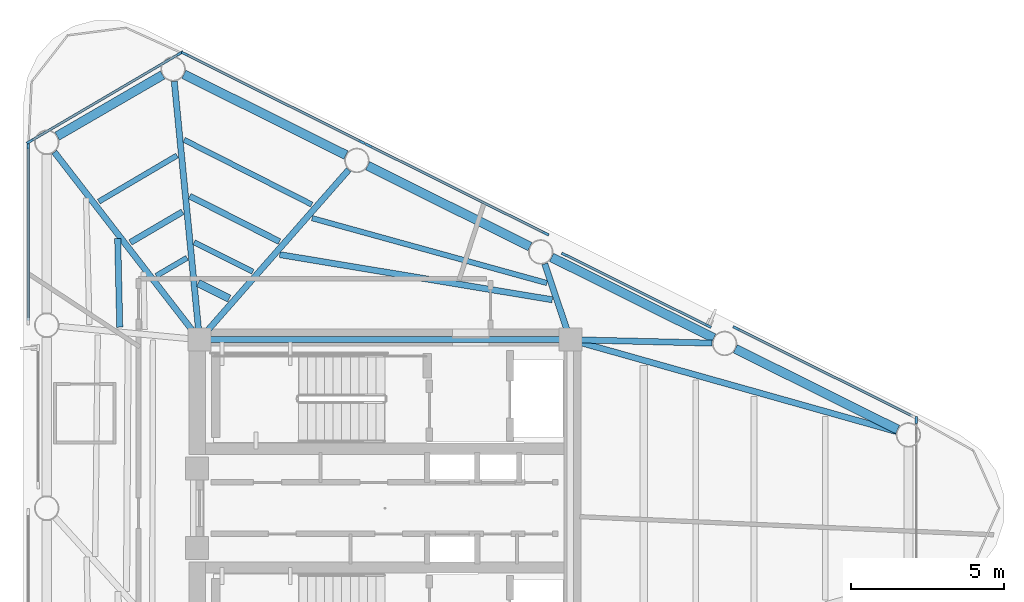
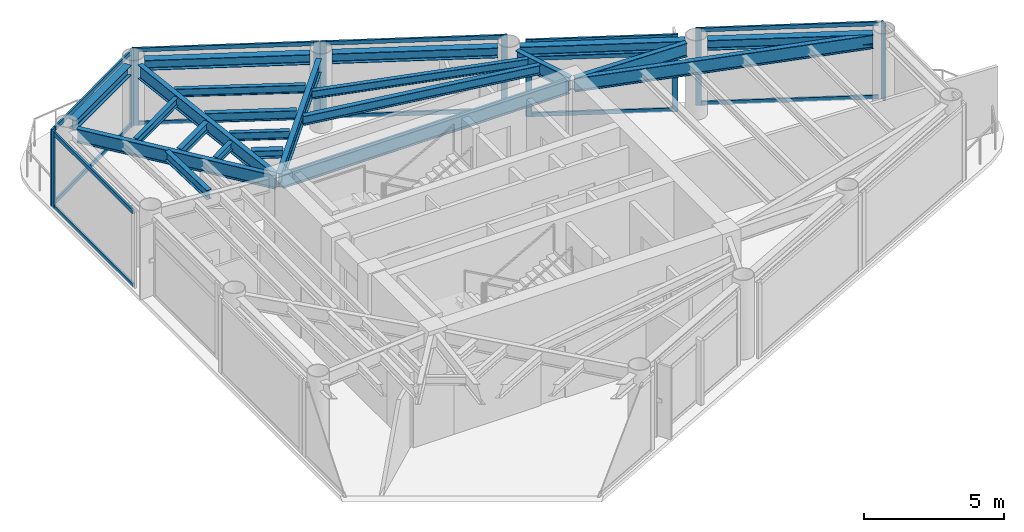
# One storey, part 3 of 10: 24 members, 22 beams, 7 elements without a shape of their own.
"""IFC4 building model written with IfcOpenShell, lengths in metres."""

import ifcopenshell
import ifcopenshell.guid

model = None  # the IFC model being written
_history = None  # IfcOwnerHistory: only IFC2X3 demands one
_inside = {}  # id of a spatial element -> (the spatial element, [elements in it])
_under = {}  # id of a project, library or spatial element -> (it, [spatial elements below it])
_declared = {}  # id of a project -> (the project, [libraries it declares])
_typed = {}  # id of a type object -> (the type object, [elements of that type])
_made_of = {}  # id of a material, layer set ... -> (it, [elements and type objects made of it])


def new_model(schema):
    """Start an empty IFC model of exactly this schema.

    Asked for "IFC4X3", IfcOpenShell would pick the latest addendum, in which some entities
    have other attributes; the version numbers below select the first issue.
    IFC2X3 requires an IfcOwnerHistory on every rooted entity: one is made here for all.
    """
    global model, _history
    if schema == "IFC4X3":
        model = ifcopenshell.file(schema_version=(4, 3, 0, 0))
    else:
        model = ifcopenshell.file(schema=schema)
    _inside.clear()
    _under.clear()
    _declared.clear()
    _typed.clear()
    _made_of.clear()
    _history = None
    if model.schema == "IFC2X3":
        org = make("IfcOrganization", Name="unknown")
        user = make(
            "IfcPersonAndOrganization",
            ThePerson=make("IfcPerson", FamilyName="unknown"),
            TheOrganization=org,
        )
        app = make(
            "IfcApplication",
            ApplicationDeveloper=org,
            Version="unknown",
            ApplicationFullName="unknown",
            ApplicationIdentifier="unknown",
        )
        _history = make(
            "IfcOwnerHistory",
            OwningUser=user,
            OwningApplication=app,
            ChangeAction="ADDED",
            CreationDate=0,
        )
    return model


def make(cls, **values):
    """One entity of the class cls with the attributes given. An attribute that is None is left unset."""
    return model.create_entity(
        cls, **{name: value for name, value in values.items() if value is not None}
    )


def rooted(cls, **values):
    """An entity with a GlobalId (a new one), such as an element, a storey or a relation."""
    return make(cls, GlobalId=ifcopenshell.guid.new(), OwnerHistory=_history, **values)


def si_unit(unit_type, name, prefix=None):
    """IfcSIUnit, for example si_unit("LENGTHUNIT", "METRE", prefix="MILLI")."""
    return make("IfcSIUnit", UnitType=unit_type, Prefix=prefix, Name=name)


def assignment(units):
    """IfcUnitAssignment: the units of a project."""
    return None if units is None else make("IfcUnitAssignment", Units=units)


def point(xyz):
    """IfcCartesianPoint."""
    return None if xyz is None else make("IfcCartesianPoint", Coordinates=xyz)


def direction(xyz):
    """IfcDirection."""
    return None if xyz is None else make("IfcDirection", DirectionRatios=xyz)


def frame(location, z_axis=None, x_axis=None):
    """IfcAxis2Placement3D, a coordinate frame: its origin and axes. An axis left out is left unset."""
    return make(
        "IfcAxis2Placement3D",
        Location=point(location),
        Axis=direction(z_axis),
        RefDirection=direction(x_axis),
    )


def frame_2d(location, x_axis=None):
    """IfcAxis2Placement2D, a coordinate frame in the plane: its origin and x axis."""
    return make(
        "IfcAxis2Placement2D", Location=point(location), RefDirection=direction(x_axis)
    )


def origin():
    """The frame at (0, 0, 0) with its axes left unset."""
    return frame((0.0, 0.0, 0.0))


def origin_2d():
    """The frame at (0, 0) in the plane with its x axis left unset."""
    return frame_2d((0.0, 0.0))


def place(relative_to, where):
    """IfcLocalPlacement: puts the frame where relative to a parent placement (None: the world)."""
    return make(
        "IfcLocalPlacement", PlacementRelTo=relative_to, RelativePlacement=where
    )


def context(
    kind, dimensions, precision=None, world=None, true_north=None, identifier=None
):
    """IfcGeometricRepresentationContext, for example the 3D "Model" context."""
    return make(
        "IfcGeometricRepresentationContext",
        ContextIdentifier=identifier,
        ContextType=kind,
        CoordinateSpaceDimension=dimensions,
        Precision=precision,
        WorldCoordinateSystem=world,
        TrueNorth=true_north,
    )


def subcontext(parent, identifier, kind, view, scale=None):
    """IfcGeometricRepresentationSubContext, for example "Body" below "Model"."""
    return make(
        "IfcGeometricRepresentationSubContext",
        ContextIdentifier=identifier,
        ContextType=kind,
        ParentContext=parent,
        TargetScale=scale,
        TargetView=view,
    )


def project(units=None, contexts=None):
    """IfcProject with its units and contexts."""
    return rooted(
        "IfcProject",
        Name="project",
        RepresentationContexts=contexts,
        UnitsInContext=assignment(units),
    )


def spatial(cls, under=None, at=None, **own):
    """A site, building, storey or space (cls), placed at a placement, below another one or the project."""
    s = rooted(cls, ObjectPlacement=at, **own)
    if under is not None:
        _under.setdefault(under.id(), (under, []))[1].append(s)
    return s


def profile(cls, at=None, kind="AREA", **sizes):
    """A parametric profile (cls). Its sizes go by their IFC names, for example OverallWidth=200.0."""
    return make(cls, ProfileType=kind, Position=at, **sizes)


def rectangle(**sizes):
    """IfcRectangleProfileDef."""
    return profile("IfcRectangleProfileDef", **sizes)


def i_section(**sizes):
    """IfcIShapeProfileDef."""
    return profile("IfcIShapeProfileDef", **sizes)


def extrude(swept, where, along, depth):
    """IfcExtrudedAreaSolid: the profile swept, set in the frame where, extruded along a direction by depth."""
    return make(
        "IfcExtrudedAreaSolid",
        SweptArea=swept,
        Position=where,
        ExtrudedDirection=direction(along),
        Depth=depth,
    )


def shape(context_of_items, identifier, shape_type, items):
    """IfcShapeRepresentation: the items that make up one representation, for example the "Body"."""
    return make(
        "IfcShapeRepresentation",
        ContextOfItems=context_of_items,
        RepresentationIdentifier=identifier,
        RepresentationType=shape_type,
        Items=items,
    )


def source(mapping_origin, context_of_items, identifier, shape_type, items):
    """IfcRepresentationMap: a shape defined once, which mapped items show again and again."""
    return make(
        "IfcRepresentationMap",
        MappingOrigin=mapping_origin,
        MappedRepresentation=shape(context_of_items, identifier, shape_type, items),
    )


def transform(
    local_origin,
    x_axis=None,
    y_axis=None,
    z_axis=None,
    scale=None,
    scale2=None,
    scale3=None,
    uniform=True,
):
    """IfcCartesianTransformationOperator3D, or its non-uniform kind. x_axis, y_axis, z_axis: its Axis1, 2, 3."""
    if uniform:
        return make(
            "IfcCartesianTransformationOperator3D",
            Axis1=direction(x_axis),
            Axis2=direction(y_axis),
            LocalOrigin=point(local_origin),
            Scale=scale,
            Axis3=direction(z_axis),
        )
    return make(
        "IfcCartesianTransformationOperator3DnonUniform",
        Axis1=direction(x_axis),
        Axis2=direction(y_axis),
        LocalOrigin=point(local_origin),
        Scale=scale,
        Axis3=direction(z_axis),
        Scale2=scale2,
        Scale3=scale3,
    )


def mapped(mapping_source, mapping_target):
    """IfcMappedItem: shows the shape of a source again, moved by a transform."""
    return make(
        "IfcMappedItem", MappingSource=mapping_source, MappingTarget=mapping_target
    )


def material(Name=None, Category=None):
    """IfcMaterial."""
    return make("IfcMaterial", Name=Name, Category=Category)


def layer(
    of_material, thickness, ventilated=None, Name=None, Category=None, Priority=None
):
    """IfcMaterialLayer: one layer of a wall or slab, of a material (None: an air gap)."""
    return make(
        "IfcMaterialLayer",
        Material=of_material,
        LayerThickness=thickness,
        IsVentilated=ventilated,
        Name=Name,
        Category=Category,
        Priority=Priority,
    )


def layer_set(layers, Name=None):
    """IfcMaterialLayerSet."""
    return make("IfcMaterialLayerSet", MaterialLayers=layers, LayerSetName=Name)


def material_profile(
    of_material, cross_section, Name=None, Category=None, Priority=None
):
    """IfcMaterialProfile: a cross section and its material."""
    return make(
        "IfcMaterialProfile",
        Name=Name,
        Material=of_material,
        Profile=cross_section,
        Priority=Priority,
        Category=Category,
    )


def profile_set(profiles, Name=None, composite=None):
    """IfcMaterialProfileSet."""
    return make(
        "IfcMaterialProfileSet",
        Name=Name,
        MaterialProfiles=profiles,
        CompositeProfile=composite,
    )


def made_of(thing, what):
    """Note that an element or type object is made of a material, layer set ...; save() writes the relation."""
    if what is not None:
        _made_of.setdefault(what.id(), (what, []))[1].append(thing)
    return thing


def type_object(cls, material=None, **own):
    """A type object (cls), such as IfcWallType, which elements share."""
    return made_of(rooted(cls, **own), material)


def element(
    cls,
    number,
    at=None,
    inside=None,
    cuts=None,
    type_object=None,
    material=None,
    context=None,
    identifier="Body",
    shape_type=None,
    held_by="IfcProductDefinitionShape",
    body=None,
    shapes=None,
    **own,
):
    """One element of the class cls, such as IfcWall. Its Tag is "e" and its number.

    at: its placement. inside: the storey or other place that contains it. cuts: it is an
    opening in that element (IfcRelVoidsElement). A single representation is given by context,
    identifier, shape_type and body (its items); several are given by shapes. held_by: the class
    of the entity that holds the representations. save() writes the other relations.
    """
    e = rooted(cls, Tag="e%d" % number, ObjectPlacement=at, **own)
    if body is not None:
        shapes = [shape(context, identifier, shape_type, body)]
    if shapes is not None:
        e.Representation = make(held_by, Representations=shapes)
    if inside is not None:
        _inside.setdefault(inside.id(), (inside, []))[1].append(e)
    if cuts is not None:
        rooted(
            "IfcRelVoidsElement", RelatingBuildingElement=cuts, RelatedOpeningElement=e
        )
    if type_object is not None:
        _typed.setdefault(type_object.id(), (type_object, []))[1].append(e)
    return made_of(e, material)


def aggregate(whole, parts):
    """IfcRelAggregates: a whole, such as a stair, and the parts it consists of."""
    return rooted("IfcRelAggregates", RelatingObject=whole, RelatedObjects=parts)


def save(model, path):
    """Write the relations noted so far, then the file.

    IfcRelAggregates (storeys below a building ...), IfcRelContainedInSpatialStructure (elements
    in a storey), IfcRelDefinesByType, IfcRelAssociatesMaterial and IfcRelDeclares: one each for
    every whole, place, type object, material and project.
    """
    for whole, parts in _under.values():
        aggregate(whole, parts)
    for where, things in _inside.values():
        rooted(
            "IfcRelContainedInSpatialStructure",
            RelatedElements=things,
            RelatingStructure=where,
        )
    for kind, things in _typed.values():
        rooted("IfcRelDefinesByType", RelatedObjects=things, RelatingType=kind)
    for what, things in _made_of.values():
        rooted("IfcRelAssociatesMaterial", RelatedObjects=things, RelatingMaterial=what)
    for by, libraries in _declared.values():
        rooted("IfcRelDeclares", RelatingContext=by, RelatedDefinitions=libraries)
    model.write(path)


model = new_model("IFC4")

# Units and contexts
model_context = context("Model", 3, precision=1e-05, world=origin(), true_north=direction((0.0, 1.0)))
body_context = subcontext(model_context, "Body", "Model", "MODEL_VIEW")
ifc_project = project(units=[si_unit("LENGTHUNIT", "METRE"), si_unit("AREAUNIT", "SQUARE_METRE"), si_unit("VOLUMEUNIT", "CUBIC_METRE"), si_unit("PLANEANGLEUNIT", "RADIAN"), si_unit("MASSUNIT", "GRAM", prefix="KILO")], contexts=[model_context])

# Site, building, storey
site_placement = place(None, origin())
site = spatial("IfcSite", under=ifc_project, at=site_placement, CompositionType="ELEMENT")
building_placement = place(site_placement, origin())
building = spatial("IfcBuilding", under=site, at=building_placement, Name="Yunling Apex Tower", CompositionType="ELEMENT")
storey_placement = place(building_placement, frame((0.0, 0.0, 293.300048828125)))
storey = spatial("IfcBuildingStorey", under=building, at=storey_placement, Name="L71", CompositionType="ELEMENT", Elevation=293.300048828125)

# Beams
ifc_material_1 = material(Name="Steel Q355B", Category="steel")
ifc_material_profile_1 = material_profile(ifc_material_1, i_section(OverallWidth=0.199951171875, OverallDepth=0.60009765625, WebThickness=0.010986328125, FlangeThickness=0.01708984375, FilletRadius=0.02197265625, at=origin_2d()))
ifc_profile_set_1 = profile_set([ifc_material_profile_1], Name="Steel Q355B")
beam_type_1 = type_object("IfcBeamType", Name="BG-PRI-5", PredefinedType="USERDEFINED", material=ifc_profile_set_1)
shared_shape_1 = source(origin(), body_context, "Body", "SweptSolid", [
    extrude(i_section(OverallWidth=0.199951171875, OverallDepth=0.60009765625, WebThickness=0.010986328125, FlangeThickness=0.01708984375, FilletRadius=0.02197265625, at=origin_2d()), origin(), (0.0, 0.0, 1.0), 11.7998046875),
])
beam_1_placement = place(storey_placement, frame((5.89990234375, 5.5, 2.969970703125), z_axis=(-1.0, 0.0, 0.0), x_axis=(0.0, -1.0, 0.0)))
element("IfcBeam", 1, at=beam_1_placement, inside=storey, type_object=beam_type_1, Name="L71 Core Ring Tie Beam 3", ObjectType="GIRDER", PredefinedType="USERDEFINED", context=body_context, shape_type="MappedRepresentation", body=[
    mapped(shared_shape_1, transform((0.0, 0.0, 0.0), scale=1.0)),
])
ifc_material_profile_2 = material_profile(ifc_material_1, i_section(OverallWidth=0.300048828125, OverallDepth=0.43994140625, WebThickness=0.010986328125, FlangeThickness=0.01806640625, FilletRadius=0.02197265625, at=origin_2d()))
ifc_profile_set_2 = profile_set([ifc_material_profile_2], Name="Steel Q355B")
beam_type_2 = type_object("IfcBeamType", Name="BP-SPN-3", PredefinedType="SPANDREL", material=ifc_profile_set_2)
shared_shape_2 = source(origin(), body_context, "Body", "SweptSolid", [
    extrude(i_section(OverallWidth=0.300048828125, OverallDepth=0.43994140625, WebThickness=0.010986328125, FlangeThickness=0.01806640625, FilletRadius=0.02197265625, at=origin_2d()), origin(), (0.0, 0.0, 1.0), 5.914306640625),
])
for number, where, z_axis, x_axis, name in (
    (2, (4.733642578125, 8.539794921875, 3.050048828125), (-0.895267705164, 0.445528602999, 0.0), (-0.445528602999, -0.895267705164, 0.0), "L71 Perimeter Spandrel Beam 8"),
    (3, (-1.2666015625, 11.52587890625, 3.050048828125), (-0.895243044542, 0.445578153861, 0.0), (-0.445578153861, -0.895243044542, 0.0), "L71 Perimeter Spandrel Beam 9"),
):
    element("IfcBeam", number, at=place(storey_placement, frame(where, z_axis=z_axis, x_axis=x_axis)), inside=storey, type_object=beam_type_2, Name=name, PredefinedType="SPANDREL", context=body_context, shape_type="MappedRepresentation", body=[
        mapped(shared_shape_2, transform((0.0, 0.0, 0.0), scale=1.0)),
    ])
shared_shape_3 = source(origin(), body_context, "Body", "SweptSolid", [
    extrude(i_section(OverallWidth=0.300048828125, OverallDepth=0.43994140625, WebThickness=0.010986328125, FlangeThickness=0.01806640625, FilletRadius=0.02197265625, at=origin_2d()), origin(), (0.0, 0.0, 1.0), 5.9140625),
])
for number, where, z_axis, x_axis, name in (
    (4, (16.73388671875, 2.567138671875, 3.050048828125), (-0.895259510924, 0.445545068539, 0.0), (-0.445545068539, -0.895259510924, 0.0), "L71 Perimeter Spandrel Beam 6"),
    (5, (10.733642578125, 5.553466796875, 3.050048828125), (-0.895259510924, 0.445545068539, 0.0), (-0.445545068539, -0.895259510924, 0.0), "L71 Perimeter Spandrel Beam 7"),
):
    element("IfcBeam", number, at=place(storey_placement, frame(where, z_axis=z_axis, x_axis=x_axis)), inside=storey, type_object=beam_type_2, Name=name, PredefinedType="SPANDREL", context=body_context, shape_type="MappedRepresentation", body=[
        mapped(shared_shape_3, transform((0.0, 0.0, 0.0), scale=1.0)),
    ])
shared_shape_4 = source(origin(), body_context, "Body", "SweptSolid", [
    extrude(i_section(OverallWidth=0.300048828125, OverallDepth=0.43994140625, WebThickness=0.010986328125, FlangeThickness=0.01806640625, FilletRadius=0.02197265625, at=origin_2d()), origin(), (0.0, 0.0, 1.0), 3.978515625),
])
beam_2_placement = place(storey_placement, frame((-7.2548828125, 14.138916015625, 3.050048828125), z_axis=(-0.865064744393, -0.501660231639, 0.0), x_axis=(0.501660231639, -0.865064744393, 0.0)))
element("IfcBeam", 6, at=beam_2_placement, inside=storey, type_object=beam_type_2, Name="L71 Perimeter Spandrel Beam 10", PredefinedType="SPANDREL", context=body_context, shape_type="MappedRepresentation", body=[
    mapped(shared_shape_4, transform((0.0, 0.0, 0.0), scale=1.0)),
])
shared_shape_5 = source(origin(), body_context, "Body", "SweptSolid", [
    extrude(i_section(OverallWidth=0.199951171875, OverallDepth=0.60009765625, WebThickness=0.010986328125, FlangeThickness=0.01708984375, FilletRadius=0.02197265625, at=origin_2d()), origin(), (0.0, 0.0, 1.0), 8.390869140625),
])
beam_3_placement = place(storey_placement, frame((-6.874267578125, 13.9306640625, 2.969970703125), z_axis=(0.097296792844, -0.995255411491, 0.0), x_axis=(0.995255411491, 0.097296792844, 0.0)))
element("IfcBeam", 7, at=beam_3_placement, inside=storey, type_object=beam_type_1, Name="L71 Radial Primary Girder R10", ObjectType="GIRDER", PredefinedType="USERDEFINED", context=body_context, shape_type="MappedRepresentation", body=[
    mapped(shared_shape_5, transform((0.0, 0.0, 0.0), scale=1.0)),
])
shared_shape_6 = source(origin(), body_context, "Body", "SweptSolid", [
    extrude(i_section(OverallWidth=0.199951171875, OverallDepth=0.60009765625, WebThickness=0.010986328125, FlangeThickness=0.01708984375, FilletRadius=0.02197265625, at=origin_2d()), origin(), (0.0, 0.0, 1.0), 7.297119140625),
])
beam_4_placement = place(storey_placement, frame((-1.18310546875, 11.043701171875, 2.969970703125), z_axis=(-0.659747259747, -0.751487560281, 0.0), x_axis=(0.751487560281, -0.659747259747, 0.0)))
element("IfcBeam", 8, at=beam_4_placement, inside=storey, type_object=beam_type_1, Name="L71 Radial Primary Girder R09", ObjectType="GIRDER", PredefinedType="USERDEFINED", context=body_context, shape_type="MappedRepresentation", body=[
    mapped(shared_shape_6, transform((0.0, 0.0, 0.0), scale=1.0)),
])
shared_shape_7 = source(origin(), body_context, "Body", "SweptSolid", [
    extrude(i_section(OverallWidth=0.199951171875, OverallDepth=0.60009765625, WebThickness=0.010986328125, FlangeThickness=0.01708984375, FilletRadius=0.02197265625, at=origin_2d()), origin(), (0.0, 0.0, 1.0), 2.533935546875),
])
beam_5_placement = place(storey_placement, frame((5.21630859375, 7.977294921875, 2.969970703125), z_axis=(0.318914628896, -0.947783445454, 0.0), x_axis=(0.947783445454, 0.318914628896, 0.0)))
element("IfcBeam", 9, at=beam_5_placement, inside=storey, type_object=beam_type_1, Name="L71 Radial Primary Girder R08", ObjectType="GIRDER", PredefinedType="USERDEFINED", context=body_context, shape_type="MappedRepresentation", body=[
    mapped(shared_shape_7, transform((0.0, 0.0, 0.0), scale=1.0)),
])
shared_shape_8 = source(origin(), body_context, "Body", "SweptSolid", [
    extrude(i_section(OverallWidth=0.199951171875, OverallDepth=0.60009765625, WebThickness=0.010986328125, FlangeThickness=0.01708984375, FilletRadius=0.02197265625, at=origin_2d()), origin(), (0.0, 0.0, 1.0), 4.5498046875),
])
beam_6_placement = place(storey_placement, frame((10.678466796875, 5.3876953125, 2.969970703125), z_axis=(-0.999705840498, 0.024253504369, 0.0), x_axis=(-0.024253504369, -0.999705840498, 0.0)))
element("IfcBeam", 10, at=beam_6_placement, inside=storey, type_object=beam_type_1, Name="L71 Radial Primary Girder R07", ObjectType="GIRDER", PredefinedType="USERDEFINED", context=body_context, shape_type="MappedRepresentation", body=[
    mapped(shared_shape_8, transform((0.0, 0.0, 0.0), scale=1.0)),
])
shared_shape_9 = source(origin(), body_context, "Body", "SweptSolid", [
    extrude(i_section(OverallWidth=0.199951171875, OverallDepth=0.60009765625, WebThickness=0.010986328125, FlangeThickness=0.01708984375, FilletRadius=0.02197265625, at=origin_2d()), origin(), (0.0, 0.0, 1.0), 10.97802734375),
])
beam_7_placement = place(storey_placement, frame((16.69384765625, 2.502197265625, 2.969970703125), z_axis=(-0.962552702816, 0.271094622414, 0.0), x_axis=(-0.271094622414, -0.962552702816, 0.0)))
element("IfcBeam", 11, at=beam_7_placement, inside=storey, type_object=beam_type_1, Name="L71 Radial Primary Girder R06", ObjectType="GIRDER", PredefinedType="USERDEFINED", context=body_context, shape_type="MappedRepresentation", body=[
    mapped(shared_shape_9, transform((0.0, 0.0, 0.0), scale=1.0)),
])
shared_shape_10 = source(origin(), body_context, "Body", "SweptSolid", [
    extrude(i_section(OverallWidth=0.199951171875, OverallDepth=0.60009765625, WebThickness=0.010986328125, FlangeThickness=0.01708984375, FilletRadius=0.02197265625, at=origin_2d()), origin(), (0.0, 0.0, 1.0), 7.661376953125),
])
beam_8_placement = place(storey_placement, frame((-10.78759765625, 11.62255859375, 2.969970703125), z_axis=(0.611959789037, -0.790888877531, 0.0), x_axis=(0.790888877531, 0.611959789037, 0.0)))
element("IfcBeam", 12, at=beam_8_placement, inside=storey, type_object=beam_type_1, Name="L71 Radial Primary Girder R11", ObjectType="GIRDER", PredefinedType="USERDEFINED", context=body_context, shape_type="MappedRepresentation", body=[
    mapped(shared_shape_10, transform((0.0, 0.0, 0.0), scale=1.0)),
])
ifc_material_profile_3 = material_profile(ifc_material_1, i_section(OverallWidth=0.199951171875, OverallDepth=0.39990234375, WebThickness=0.008056640625, FlangeThickness=0.012939453125, FilletRadius=0.01611328125, at=origin_2d()))
ifc_profile_set_3 = profile_set([ifc_material_profile_3], Name="Steel Q355B")
beam_type_3 = type_object("IfcBeamType", Name="BS-SEC-4", PredefinedType="BEAM", material=ifc_profile_set_3)
shared_shape_11 = source(origin(), body_context, "Body", "SweptSolid", [
    extrude(i_section(OverallWidth=0.199951171875, OverallDepth=0.39990234375, WebThickness=0.008056640625, FlangeThickness=0.012939453125, FilletRadius=0.01611328125, at=origin_2d()), origin(), (0.0, 0.0, 1.0), 3.281494140625),
])
beam_9_placement = place(storey_placement, frame((-3.444091796875, 8.703125, 3.070068359375), z_axis=(-0.892364297468, 0.451315810275, 0.0), x_axis=(-0.451315810275, -0.892364297468, 0.0)))
element("IfcBeam", 13, at=beam_9_placement, inside=storey, type_object=beam_type_3, Name="L71 Composite Floor Beam BS-9", PredefinedType="BEAM", context=body_context, shape_type="MappedRepresentation", body=[
    mapped(shared_shape_11, transform((0.0, 0.0, 0.0), scale=1.0)),
])
ifc_material_profile_4 = material_profile(ifc_material_1, i_section(OverallWidth=0.175048828125, OverallDepth=0.35009765625, WebThickness=0.007080078125, FlangeThickness=0.010986328125, FilletRadius=0.013916015625, at=origin_2d()))
ifc_profile_set_4 = profile_set([ifc_material_profile_4], Name="Steel Q355B")
beam_type_4 = type_object("IfcBeamType", Name="BJ-JST-1", PredefinedType="JOIST", material=ifc_profile_set_4)
shared_shape_12 = source(origin(), body_context, "Body", "SweptSolid", [
    extrude(i_section(OverallWidth=0.175048828125, OverallDepth=0.35009765625, WebThickness=0.007080078125, FlangeThickness=0.010986328125, FilletRadius=0.013916015625, at=origin_2d()), origin(), (0.0, 0.0, 1.0), 4.67138671875),
])
beam_10_placement = place(storey_placement, frame((-2.385009765625, 9.90966796875, 3.094970703125), z_axis=(-0.892031280848, 0.45197366515, 0.0), x_axis=(-0.45197366515, -0.892031280848, 0.0)))
element("IfcBeam", 14, at=beam_10_placement, inside=storey, type_object=beam_type_4, Name="L71 Composite Floor Joist BJ1-9", PredefinedType="JOIST", context=body_context, shape_type="MappedRepresentation", body=[
    mapped(shared_shape_12, transform((0.0, 0.0, 0.0), scale=1.0)),
])
shared_shape_13 = source(origin(), body_context, "Body", "SweptSolid", [
    extrude(i_section(OverallWidth=0.175048828125, OverallDepth=0.35009765625, WebThickness=0.007080078125, FlangeThickness=0.010986328125, FilletRadius=0.013916015625, at=origin_2d()), origin(), (0.0, 0.0, 1.0), 2.143798828125),
])
beam_11_placement = place(storey_placement, frame((-4.310791015625, 7.7158203125, 3.094970703125), z_axis=(-0.892941835578, 0.45017205408, 0.0), x_axis=(-0.45017205408, -0.892941835578, 0.0)))
element("IfcBeam", 15, at=beam_11_placement, inside=storey, type_object=beam_type_4, Name="L71 Composite Floor Joist BJ3-9", PredefinedType="JOIST", context=body_context, shape_type="MappedRepresentation", body=[
    mapped(shared_shape_13, transform((0.0, 0.0, 0.0), scale=1.0)),
])
ifc_material_profile_5 = material_profile(ifc_material_1, i_section(OverallWidth=0.25, OverallDepth=0.340087890625, WebThickness=0.009033203125, FlangeThickness=0.013916015625, FilletRadius=0.01806640625, at=origin_2d()))
ifc_profile_set_5 = profile_set([ifc_material_profile_5], Name="Steel Q355B")
beam_type_5 = type_object("IfcBeamType", Name="BJ-JST-2", PredefinedType="JOIST", material=ifc_profile_set_5)
shared_shape_14 = source(origin(), body_context, "Body", "SweptSolid", [
    extrude(i_section(OverallWidth=0.25, OverallDepth=0.340087890625, WebThickness=0.009033203125, FlangeThickness=0.013916015625, FilletRadius=0.01806640625, at=origin_2d()), origin(), (0.0, 0.0, 1.0), 1.1328125),
])
beam_12_placement = place(storey_placement, frame((-5.081298828125, 6.838134765625, 3.099853515625), z_axis=(-0.894211562533, 0.447644592765, 0.0), x_axis=(-0.447644592765, -0.894211562533, 0.0)))
element("IfcBeam", 16, at=beam_12_placement, inside=storey, type_object=beam_type_5, Name="L71 Composite Floor Joist BJ2-9", PredefinedType="JOIST", context=body_context, shape_type="MappedRepresentation", body=[
    mapped(shared_shape_14, transform((0.0, 0.0, 0.0), scale=1.0)),
])
shared_shape_15 = source(origin(), body_context, "Body", "SweptSolid", [
    extrude(i_section(OverallWidth=0.199951171875, OverallDepth=0.39990234375, WebThickness=0.008056640625, FlangeThickness=0.012939453125, FilletRadius=0.01611328125, at=origin_2d()), origin(), (0.0, 0.0, 1.0), 9.01611328125),
])
beam_13_placement = place(storey_placement, frame((5.462646484375, 6.802734375, 3.070068359375), z_axis=(-0.986561729833, 0.163388962996, 0.0), x_axis=(-0.163388962996, -0.986561729833, 0.0)))
element("IfcBeam", 17, at=beam_13_placement, inside=storey, type_object=beam_type_3, Name="L71 Composite Floor Beam BS-8", PredefinedType="BEAM", context=body_context, shape_type="MappedRepresentation", body=[
    mapped(shared_shape_15, transform((0.0, 0.0, 0.0), scale=1.0)),
])
shared_shape_16 = source(origin(), body_context, "Body", "SweptSolid", [
    extrude(i_section(OverallWidth=0.175048828125, OverallDepth=0.35009765625, WebThickness=0.007080078125, FlangeThickness=0.010986328125, FilletRadius=0.013916015625, at=origin_2d()), origin(), (0.0, 0.0, 1.0), 7.952392578125),
])
beam_14_placement = place(storey_placement, frame((5.288330078125, 7.34765625, 3.094970703125), z_axis=(-0.963874198485, 0.266357897377, 0.0), x_axis=(-0.266357897377, -0.963874198485, 0.0)))
element("IfcBeam", 18, at=beam_14_placement, inside=storey, type_object=beam_type_4, Name="L71 Composite Floor Joist BJ1-8", PredefinedType="JOIST", context=body_context, shape_type="MappedRepresentation", body=[
    mapped(shared_shape_16, transform((0.0, 0.0, 0.0), scale=1.0)),
])
shared_shape_17 = source(origin(), body_context, "Body", "SweptSolid", [
    extrude(i_section(OverallWidth=0.199951171875, OverallDepth=0.39990234375, WebThickness=0.008056640625, FlangeThickness=0.012939453125, FilletRadius=0.01611328125, at=origin_2d()), origin(), (0.0, 0.0, 1.0), 1.9736328125),
])
beam_15_placement = place(storey_placement, frame((-6.60400390625, 9.674072265625, 3.070068359375), z_axis=(-0.862118606545, -0.506706530694, 0.0), x_axis=(0.506706530694, -0.862118606545, 0.0)))
element("IfcBeam", 19, at=beam_15_placement, inside=storey, type_object=beam_type_3, Name="L71 Composite Floor Beam BS-10", PredefinedType="BEAM", context=body_context, shape_type="MappedRepresentation", body=[
    mapped(shared_shape_17, transform((0.0, 0.0, 0.0), scale=1.0)),
])
shared_shape_18 = source(origin(), body_context, "Body", "SweptSolid", [
    extrude(i_section(OverallWidth=0.175048828125, OverallDepth=0.35009765625, WebThickness=0.007080078125, FlangeThickness=0.010986328125, FilletRadius=0.013916015625, at=origin_2d()), origin(), (0.0, 0.0, 1.0), 2.96337890625),
])
beam_16_placement = place(storey_placement, frame((-6.783447265625, 11.510986328125, 3.094970703125), z_axis=(-0.861658767358, -0.507488097038, 0.0), x_axis=(0.507488097038, -0.861658767358, 0.0)))
element("IfcBeam", 20, at=beam_16_placement, inside=storey, type_object=beam_type_4, Name="L71 Composite Floor Joist BJ1-10", PredefinedType="JOIST", context=body_context, shape_type="MappedRepresentation", body=[
    mapped(shared_shape_18, transform((0.0, 0.0, 0.0), scale=1.0)),
])
shared_shape_19 = source(origin(), body_context, "Body", "SweptSolid", [
    extrude(i_section(OverallWidth=0.175048828125, OverallDepth=0.35009765625, WebThickness=0.007080078125, FlangeThickness=0.010986328125, FilletRadius=0.013916015625, at=origin_2d()), origin(), (0.0, 0.0, 1.0), 1.16357421875),
])
beam_17_placement = place(storey_placement, frame((-6.457275390625, 8.171142578125, 3.094970703125), z_axis=(-0.862833680606, -0.50548792232, 0.0), x_axis=(0.50548792232, -0.862833680606, 0.0)))
element("IfcBeam", 21, at=beam_17_placement, inside=storey, type_object=beam_type_4, Name="L71 Composite Floor Joist BJ3-10", PredefinedType="JOIST", context=body_context, shape_type="MappedRepresentation", body=[
    mapped(shared_shape_19, transform((0.0, 0.0, 0.0), scale=1.0)),
])
shared_shape_20 = source(origin(), body_context, "Body", "SweptSolid", [
    extrude(i_section(OverallWidth=0.199951171875, OverallDepth=0.39990234375, WebThickness=0.008056640625, FlangeThickness=0.012939453125, FilletRadius=0.01611328125, at=origin_2d()), origin(), (0.0, 0.0, 1.0), 2.890869140625),
])
beam_18_placement = place(storey_placement, frame((-8.720947265625, 8.796630859375, 3.070068359375), z_axis=(0.023139604217, -0.999732243512, 0.0), x_axis=(0.999732243512, 0.023139604217, 0.0)))
element("IfcBeam", 22, at=beam_18_placement, inside=storey, type_object=beam_type_3, Name="L71 Composite Floor Beam BS-11", PredefinedType="BEAM", context=body_context, shape_type="MappedRepresentation", body=[
    mapped(shared_shape_20, transform((0.0, 0.0, 0.0), scale=1.0)),
])

# Curtain wall, members
ifc_material_2 = material(Name="Bronze anodised aluminium", Category="aluminium")
ifc_layer = layer(ifc_material_2, 0.219970703125)
ifc_layer_set = layer_set([ifc_layer], Name="Bronze anodised aluminium")
curtain_wall_type = type_object("IfcCurtainWallType", Name="CW-SYS-4", PredefinedType="NOTDEFINED", material=ifc_layer_set)
curtain_wall_1_placement = place(storey_placement, origin())
curtain_wall_1 = element("IfcCurtainWall", 23, at=curtain_wall_1_placement, inside=storey, type_object=curtain_wall_type, Name="CW-L71-F2-B4", PredefinedType="NOTDEFINED")
ifc_material_profile_6 = material_profile(ifc_material_2, rectangle(XDim=0.080078125, YDim=0.169921875, at=origin_2d()))
ifc_profile_set_6 = profile_set([ifc_material_profile_6], Name="Bronze anodised aluminium")
member_type_1 = type_object("IfcMemberType", Name="CW-TRN-4", PredefinedType="USERDEFINED", material=ifc_profile_set_6)
shared_shape_21 = source(origin(), body_context, "Body", "SweptSolid", [
    extrude(rectangle(XDim=0.080078125, YDim=0.169921875, at=origin_2d()), origin(), (0.0, 0.0, 1.0), 6.39013671875),
])
member_1_placement = place(storey_placement, frame((-0.78173828125, 11.966064453125, 0.0400390625), z_axis=(-0.89525092504, 0.445562320238, 0.0), x_axis=(-0.445562320238, -0.89525092504, 0.0)))
member_1 = element("IfcMember", 24, at=member_1_placement, type_object=member_type_1, Name="CW-SYS-4 transom 1.1", ObjectType="TRANSOM", PredefinedType="USERDEFINED", context=body_context, shape_type="MappedRepresentation", body=[
    mapped(shared_shape_21, transform((0.0, 0.0, 0.0), scale=1.0)),
])
member_2_placement = place(storey_placement, frame((-0.78173828125, 11.966064453125, 3.22998046875), z_axis=(-0.89525092504, 0.445562320238, 0.0), x_axis=(-0.445562320238, -0.89525092504, 0.0)))
member_2 = element("IfcMember", 25, at=member_2_placement, type_object=member_type_1, Name="CW-SYS-4 transom 1.2", ObjectType="TRANSOM", PredefinedType="USERDEFINED", context=body_context, shape_type="MappedRepresentation", body=[
    mapped(shared_shape_21, transform((0.0, 0.0, 0.0), scale=1.0)),
])

curtain_wall_2_placement = place(storey_placement, origin())
curtain_wall_2 = element("IfcCurtainWall", 26, at=curtain_wall_2_placement, inside=storey, type_object=curtain_wall_type, Name="CW-L71-F2-B1", PredefinedType="NOTDEFINED")
shared_shape_22 = source(origin(), body_context, "Body", "SweptSolid", [
    extrude(rectangle(XDim=0.080078125, YDim=0.169921875, at=origin_2d()), origin(), (0.0, 0.0, 1.0), 6.390380859375),
])
member_3_placement = place(storey_placement, frame((17.21875, 3.007080078125, 0.0400390625), z_axis=(-0.895258509594, 0.445547080565, 0.0), x_axis=(-0.445547080565, -0.895258509594, 0.0)))
member_3 = element("IfcMember", 27, at=member_3_placement, type_object=member_type_1, Name="CW-SYS-4 transom 1.1", ObjectType="TRANSOM", PredefinedType="USERDEFINED", context=body_context, shape_type="MappedRepresentation", body=[
    mapped(shared_shape_22, transform((0.0, 0.0, 0.0), scale=1.0)),
])
member_4_placement = place(storey_placement, frame((17.21875, 3.007080078125, 3.22998046875), z_axis=(-0.895258509594, 0.445547080565, 0.0), x_axis=(-0.445547080565, -0.895258509594, 0.0)))
member_4 = element("IfcMember", 28, at=member_4_placement, type_object=member_type_1, Name="CW-SYS-4 transom 1.2", ObjectType="TRANSOM", PredefinedType="USERDEFINED", context=body_context, shape_type="MappedRepresentation", body=[
    mapped(shared_shape_22, transform((0.0, 0.0, 0.0), scale=1.0)),
])

curtain_wall_3_placement = place(storey_placement, origin())
curtain_wall_3 = element("IfcCurtainWall", 29, at=curtain_wall_3_placement, inside=storey, type_object=curtain_wall_type, Name="CW-L71-F2-B3", PredefinedType="NOTDEFINED")
member_5_placement = place(storey_placement, frame((5.218505859375, 8.979736328125, 0.0400390625), z_axis=(-0.895243270113, 0.44557770065, 0.0), x_axis=(-0.44557770065, -0.895243270113, 0.0)))
member_5 = element("IfcMember", 30, at=member_5_placement, type_object=member_type_1, Name="CW-SYS-4 transom 1.1", ObjectType="TRANSOM", PredefinedType="USERDEFINED", context=body_context, shape_type="MappedRepresentation", body=[
    mapped(shared_shape_22, transform((0.0, 0.0, 0.0), scale=1.0)),
])
member_6_placement = place(storey_placement, frame((5.218505859375, 8.979736328125, 3.22998046875), z_axis=(-0.895243270113, 0.44557770065, 0.0), x_axis=(-0.44557770065, -0.895243270113, 0.0)))
member_6 = element("IfcMember", 31, at=member_6_placement, type_object=member_type_1, Name="CW-SYS-4 transom 1.2", ObjectType="TRANSOM", PredefinedType="USERDEFINED", context=body_context, shape_type="MappedRepresentation", body=[
    mapped(shared_shape_22, transform((0.0, 0.0, 0.0), scale=1.0)),
])

curtain_wall_4_placement = place(storey_placement, origin())
curtain_wall_4 = element("IfcCurtainWall", 32, at=curtain_wall_4_placement, inside=storey, type_object=curtain_wall_type, Name="CW-L71-F2-B2", PredefinedType="NOTDEFINED")
shared_shape_23 = source(origin(), body_context, "Body", "SweptSolid", [
    extrude(rectangle(XDim=0.080078125, YDim=0.169921875, at=origin_2d()), origin(), (0.0, 0.0, 1.0), 5.150146484375),
])
member_7_placement = place(storey_placement, frame((10.511962890625, 5.96533203125, 0.0400390625), z_axis=(-0.895231613188, 0.445601120676, 0.0), x_axis=(-0.445601120676, -0.895231613188, 0.0)))
member_7 = element("IfcMember", 33, at=member_7_placement, type_object=member_type_1, Name="CW-SYS-4 transom 1.1", ObjectType="TRANSOM", PredefinedType="USERDEFINED", context=body_context, shape_type="MappedRepresentation", body=[
    mapped(shared_shape_23, transform((0.0, 0.0, 0.0), scale=1.0)),
])
member_8_placement = place(storey_placement, frame((10.511962890625, 5.96533203125, 2.485107421875), z_axis=(-0.895231613188, 0.445601120676, 0.0), x_axis=(-0.445601120676, -0.895231613188, 0.0)))
member_8 = element("IfcMember", 34, at=member_8_placement, type_object=member_type_1, Name="CW-SYS-4 transom 1.2", ObjectType="TRANSOM", PredefinedType="USERDEFINED", context=body_context, shape_type="MappedRepresentation", body=[
    mapped(shared_shape_23, transform((0.0, 0.0, 0.0), scale=1.0)),
])
member_9_placement = place(storey_placement, frame((10.511962890625, 5.96533203125, 3.22998046875), z_axis=(-0.895231613188, 0.445601120676, 0.0), x_axis=(-0.445601120676, -0.895231613188, 0.0)))
member_9 = element("IfcMember", 35, at=member_9_placement, type_object=member_type_1, Name="CW-SYS-4 transom 1.3", ObjectType="TRANSOM", PredefinedType="USERDEFINED", context=body_context, shape_type="MappedRepresentation", body=[
    mapped(shared_shape_23, transform((0.0, 0.0, 0.0), scale=1.0)),
])

curtain_wall_5_placement = place(storey_placement, origin())
curtain_wall_5 = element("IfcCurtainWall", 36, at=curtain_wall_5_placement, inside=storey, type_object=curtain_wall_type, Name="CW-L71-CRN2", PredefinedType="NOTDEFINED")
shared_shape_24 = source(origin(), body_context, "Body", "SweptSolid", [
    extrude(rectangle(XDim=0.080078125, YDim=0.169921875, at=origin_2d()), origin(), (0.0, 0.0, 1.0), 5.61767578125),
])
member_10_placement = place(storey_placement, frame((-6.716552734375, 14.82666015625, 0.0400390625), z_axis=(-0.862486715055, -0.506079703558, 0.0), x_axis=(0.506079703558, -0.862486715055, 0.0)))
member_10 = element("IfcMember", 37, at=member_10_placement, type_object=member_type_1, Name="CW-SYS-4 transom 1.1", ObjectType="TRANSOM", PredefinedType="USERDEFINED", context=body_context, shape_type="MappedRepresentation", body=[
    mapped(shared_shape_24, transform((0.0, 0.0, 0.0), scale=1.0)),
])
member_11_placement = place(storey_placement, frame((-6.716552734375, 14.82666015625, 3.22998046875), z_axis=(-0.862486715055, -0.506079703558, 0.0), x_axis=(0.506079703558, -0.862486715055, 0.0)))
member_11 = element("IfcMember", 38, at=member_11_placement, type_object=member_type_1, Name="CW-SYS-4 transom 1.2", ObjectType="TRANSOM", PredefinedType="USERDEFINED", context=body_context, shape_type="MappedRepresentation", body=[
    mapped(shared_shape_24, transform((0.0, 0.0, 0.0), scale=1.0)),
])

curtain_wall_6_placement = place(storey_placement, origin())
curtain_wall_6 = element("IfcCurtainWall", 39, at=curtain_wall_6_placement, inside=storey, type_object=curtain_wall_type, Name="CW-L71-F3-B1", PredefinedType="NOTDEFINED")
shared_shape_25 = source(origin(), body_context, "Body", "SweptSolid", [
    extrude(rectangle(XDim=0.080078125, YDim=0.169921875, at=origin_2d()), origin(), (0.0, 0.0, 1.0), 5.66064453125),
])
member_12_placement = place(storey_placement, frame((-11.647216796875, 11.789306640625, 0.0400390625), z_axis=(0.0, -1.0, 0.0), x_axis=(1.0, 0.0, 0.0)))
member_12 = element("IfcMember", 40, at=member_12_placement, type_object=member_type_1, Name="CW-SYS-4 transom 1.1", ObjectType="TRANSOM", PredefinedType="USERDEFINED", context=body_context, shape_type="MappedRepresentation", body=[
    mapped(shared_shape_25, transform((0.0, 0.0, 0.0), scale=1.0)),
])
member_13_placement = place(storey_placement, frame((-11.647216796875, 11.789306640625, 3.22998046875), z_axis=(0.0, -1.0, 0.0), x_axis=(1.0, 0.0, 0.0)))
member_13 = element("IfcMember", 41, at=member_13_placement, type_object=member_type_1, Name="CW-SYS-4 transom 1.2", ObjectType="TRANSOM", PredefinedType="USERDEFINED", context=body_context, shape_type="MappedRepresentation", body=[
    mapped(shared_shape_25, transform((0.0, 0.0, 0.0), scale=1.0)),
])

# Curtain wall, member
curtain_wall_7_placement = place(storey_placement, origin())
curtain_wall_7 = element("IfcCurtainWall", 42, at=curtain_wall_7_placement, inside=storey, type_object=curtain_wall_type, Name="CW-L71-CRN1", PredefinedType="NOTDEFINED")
ifc_material_profile_7 = material_profile(ifc_material_2, rectangle(XDim=0.080078125, YDim=0.219970703125, at=origin_2d()))
ifc_profile_set_7 = profile_set([ifc_material_profile_7], Name="Bronze anodised aluminium")
member_type_2 = type_object("IfcMemberType", Name="CW-MUL-4", PredefinedType="MULLION", material=ifc_profile_set_7)
shared_shape_26 = source(origin(), body_context, "Body", "SweptSolid", [
    extrude(rectangle(XDim=0.080078125, YDim=0.219970703125, at=origin_2d()), origin(), (0.0, 0.0, 1.0), 3.3701171875),
])
member_14_placement = place(storey_placement, frame((17.349365234375, 2.879638671875, -0.050048828125), z_axis=(0.0, 0.0, 1.0), x_axis=(-1.0, 0.0, 0.0)))
member_14 = element("IfcMember", 43, at=member_14_placement, type_object=member_type_2, Name="CW-SYS-4 mullion 2", PredefinedType="MULLION", context=body_context, shape_type="MappedRepresentation", body=[
    mapped(shared_shape_26, transform((0.0, 0.0, 0.0), scale=1.0)),
])
aggregate(curtain_wall_7, [member_14])

# Member
member_15_placement = place(storey_placement, frame((11.465576171875, 5.870361328125, -0.050048828125), z_axis=(0.0, 0.0, 1.0), x_axis=(-0.445568135078, -0.895248030996, 0.0)))
member_15 = element("IfcMember", 44, at=member_15_placement, type_object=member_type_2, Name="CW-SYS-4 mullion 2", PredefinedType="MULLION", context=body_context, shape_type="MappedRepresentation", body=[
    mapped(shared_shape_26, transform((0.0, 0.0, 0.0), scale=1.0)),
])

aggregate(curtain_wall_2, [member_15, member_3, member_4])

member_16_placement = place(storey_placement, frame((10.544189453125, 5.94921875, -0.050048828125), z_axis=(0.0, 0.0, 1.0), x_axis=(-0.445583360305, -0.895240453185, 0.0)))
member_16 = element("IfcMember", 45, at=member_16_placement, type_object=member_type_2, Name="CW-SYS-4 mullion 1", PredefinedType="MULLION", context=body_context, shape_type="MappedRepresentation", body=[
    mapped(shared_shape_26, transform((0.0, 0.0, 0.0), scale=1.0)),
])

member_17_placement = place(storey_placement, frame((5.869140625, 8.276123046875, -0.050048828125), z_axis=(0.0, 0.0, 1.0), x_axis=(-0.445583360305, -0.895240453185, 0.0)))
member_17 = element("IfcMember", 46, at=member_17_placement, type_object=member_type_2, Name="CW-SYS-4 mullion 2", PredefinedType="MULLION", context=body_context, shape_type="MappedRepresentation", body=[
    mapped(shared_shape_26, transform((0.0, 0.0, 0.0), scale=1.0)),
])

aggregate(curtain_wall_4, [member_16, member_17, member_7, member_8, member_9])

member_18_placement = place(storey_placement, frame((5.250732421875, 8.963623046875, -0.050048828125), z_axis=(0.0, 0.0, 1.0), x_axis=(-0.445562037917, -0.895251065549, 0.0)))
member_18 = element("IfcMember", 47, at=member_18_placement, type_object=member_type_2, Name="CW-SYS-4 mullion 1", PredefinedType="MULLION", context=body_context, shape_type="MappedRepresentation", body=[
    mapped(shared_shape_26, transform((0.0, 0.0, 0.0), scale=1.0)),
])

member_19_placement = place(storey_placement, frame((-0.53466796875, 11.843017578125, -0.050048828125), z_axis=(0.0, 0.0, 1.0), x_axis=(-0.445562037917, -0.895251065549, 0.0)))
member_19 = element("IfcMember", 48, at=member_19_placement, type_object=member_type_2, Name="CW-SYS-4 mullion 2", PredefinedType="MULLION", context=body_context, shape_type="MappedRepresentation", body=[
    mapped(shared_shape_26, transform((0.0, 0.0, 0.0), scale=1.0)),
])

aggregate(curtain_wall_3, [member_18, member_19, member_5, member_6])

member_20_placement = place(storey_placement, frame((-0.74951171875, 11.949951171875, -0.050048828125), z_axis=(0.0, 0.0, 1.0), x_axis=(-0.445568135078, -0.895248030996, 0.0)))
member_20 = element("IfcMember", 49, at=member_20_placement, type_object=member_type_2, Name="CW-SYS-4 mullion 1", PredefinedType="MULLION", context=body_context, shape_type="MappedRepresentation", body=[
    mapped(shared_shape_26, transform((0.0, 0.0, 0.0), scale=1.0)),
])

member_21_placement = place(storey_placement, frame((-6.534912109375, 14.829345703125, -0.050048828125), z_axis=(0.0, 0.0, 1.0), x_axis=(-0.445568135078, -0.895248030996, 0.0)))
member_21 = element("IfcMember", 50, at=member_21_placement, type_object=member_type_2, Name="CW-SYS-4 mullion 2", PredefinedType="MULLION", context=body_context, shape_type="MappedRepresentation", body=[
    mapped(shared_shape_26, transform((0.0, 0.0, 0.0), scale=1.0)),
])

aggregate(curtain_wall_1, [member_20, member_21, member_1, member_2])

member_22_placement = place(storey_placement, frame((-6.685546875, 14.8447265625, -0.050048828125), z_axis=(0.0, 0.0, 1.0), x_axis=(0.506057076658, -0.862499991399, 0.0)))
member_22 = element("IfcMember", 51, at=member_22_placement, type_object=member_type_2, Name="CW-SYS-4 mullion 1", PredefinedType="MULLION", context=body_context, shape_type="MappedRepresentation", body=[
    mapped(shared_shape_26, transform((0.0, 0.0, 0.0), scale=1.0)),
])

member_23_placement = place(storey_placement, frame((-11.5927734375, 11.965576171875, -0.050048828125), z_axis=(0.0, 0.0, 1.0), x_axis=(0.506057076658, -0.862499991399, 0.0)))
member_23 = element("IfcMember", 52, at=member_23_placement, type_object=member_type_2, Name="CW-SYS-4 mullion 2", PredefinedType="MULLION", context=body_context, shape_type="MappedRepresentation", body=[
    mapped(shared_shape_26, transform((0.0, 0.0, 0.0), scale=1.0)),
])

aggregate(curtain_wall_5, [member_22, member_23, member_10, member_11])

member_24_placement = place(storey_placement, frame((-11.647216796875, 11.8251953125, -0.050048828125), z_axis=(0.0, 0.0, 1.0), x_axis=(1.0, 0.0, 0.0)))
member_24 = element("IfcMember", 53, at=member_24_placement, type_object=member_type_2, Name="CW-SYS-4 mullion 1", PredefinedType="MULLION", context=body_context, shape_type="MappedRepresentation", body=[
    mapped(shared_shape_26, transform((0.0, 0.0, 0.0), scale=1.0)),
])

aggregate(curtain_wall_6, [member_24, member_12, member_13])

save(model, "model.ifc")
